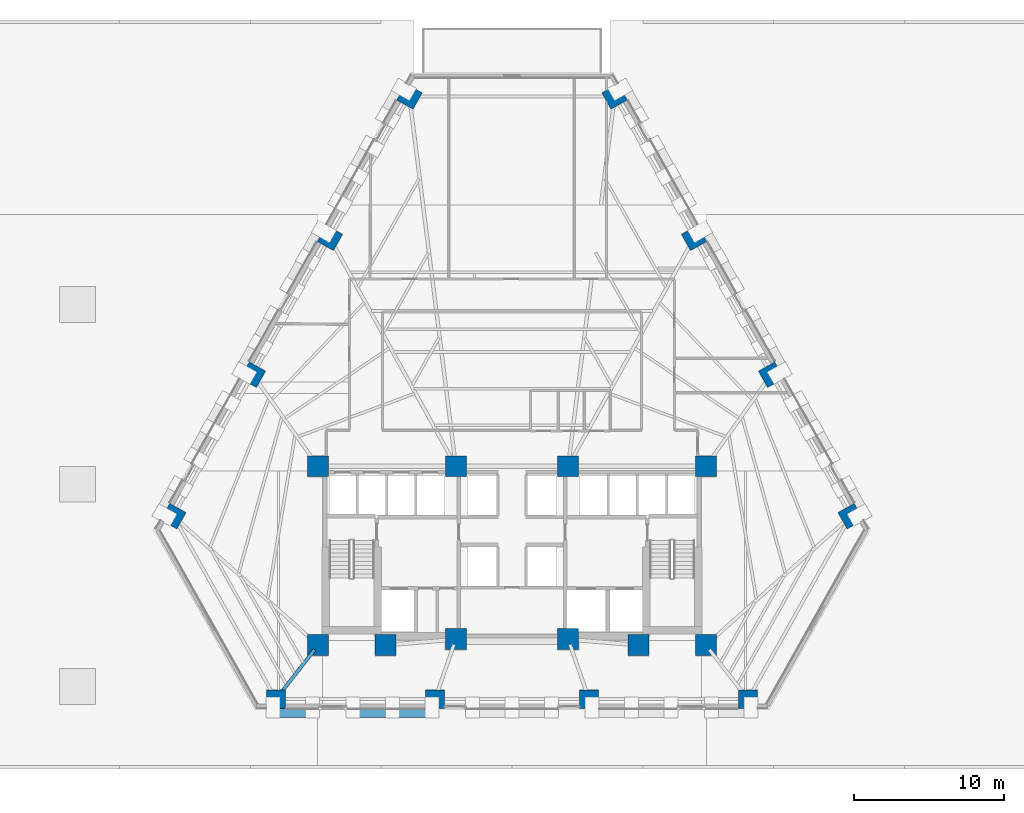
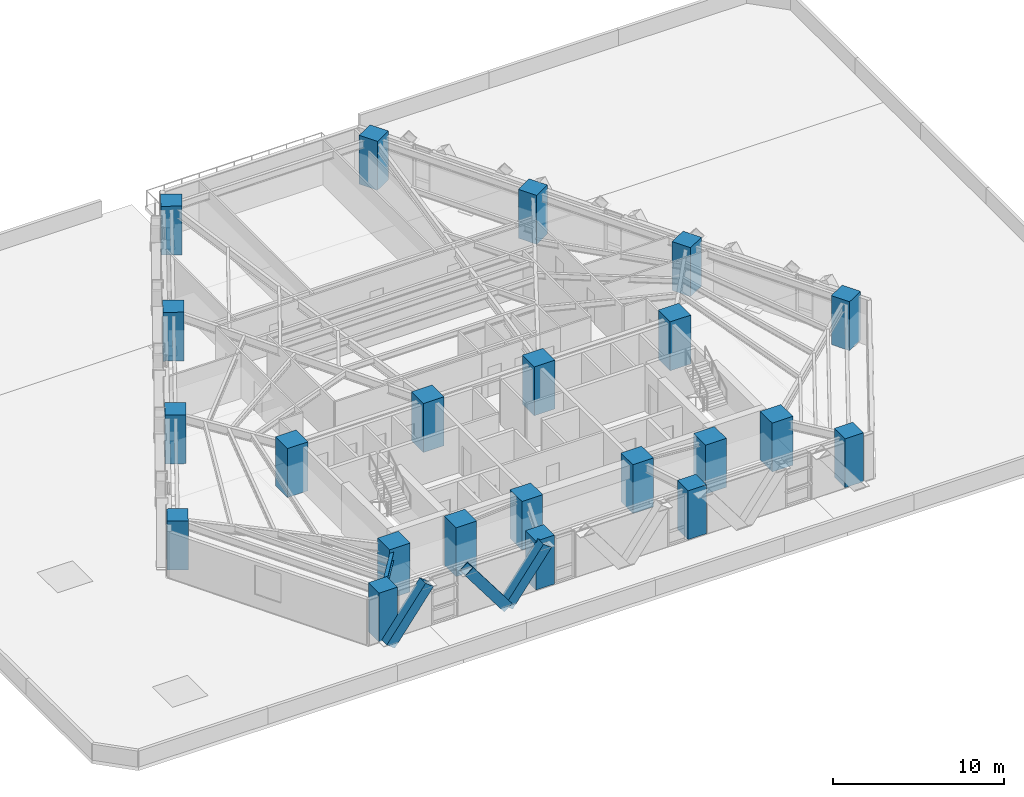
# One storey, part 1 of 14: 22 columns, 3 members, 1 beam.
"""IFC4 building model written with IfcOpenShell, lengths in metres."""

from ifc_helpers import new_model, si_unit, direction, frame, origin, origin_2d, place, context, subcontext, project, spatial, rectangle, hollow_rectangle, i_section, extrude, material, material_profile, profile_set, type_object, element, save


model = new_model("IFC4")

# Units and contexts
model_context = context("Model", 3, precision=1e-05, world=origin(), true_north=direction((0.0, 1.0)))
body_context = subcontext(model_context, "Body", "Model", "MODEL_VIEW")
ifc_project = project(units=[si_unit("LENGTHUNIT", "METRE"), si_unit("AREAUNIT", "SQUARE_METRE"), si_unit("VOLUMEUNIT", "CUBIC_METRE"), si_unit("PLANEANGLEUNIT", "RADIAN"), si_unit("MASSUNIT", "GRAM", prefix="KILO")], contexts=[model_context])

# Site, building, storey
site_placement = place(None, origin())
site = spatial("IfcSite", under=ifc_project, at=site_placement, CompositionType="ELEMENT")
building_placement = place(site_placement, origin())
building = spatial("IfcBuilding", under=site, at=building_placement, Name="Quenlor Broadcast Tower", CompositionType="ELEMENT")
storey_placement = place(building_placement, frame((0.0, 0.0, 27.60009765625)))
storey = spatial("IfcBuildingStorey", under=building, at=storey_placement, Name="L06", CompositionType="ELEMENT", Elevation=27.60009765625)

# Columns
ifc_material_1 = material(Name="Concrete C65/80", Category="concrete")
ifc_material_profile_1 = material_profile(ifc_material_1, rectangle(XDim=1.39990234375, YDim=1.39990234375, at=origin_2d()))
ifc_profile_set_1 = profile_set([ifc_material_profile_1], Name="Concrete C65/80 RC1400x1400")
column_type_1 = type_object("IfcColumnType", Name="Core Corner Column Lower Concrete C65/80 1400", PredefinedType="COLUMN", material=ifc_profile_set_1)
for number, where, z_axis, x_axis, name in (
    (1, (-12.949951171875, -16.75, 0.0), (0.0, 0.0, 1.0), (1.0, 0.0, 0.0), "L06 Core Column CC1"),
    (2, (-8.449951171875, -16.75, 0.0), (0.0, 0.0, 1.0), (1.0, 0.0, 0.0), "L06 Core Column CC2"),
    (3, (-3.75, -16.35009765625, 0.0), (0.0, 0.0, 1.0), (1.0, 0.0, 0.0), "L06 Core Column CC3"),
    (4, (3.75, -16.35009765625, 0.0), (0.0, 0.0, 1.0), (1.0, 0.0, 0.0), "L06 Core Column CC4"),
    (5, (8.449951171875, -16.75, 0.0), (0.0, 0.0, 1.0), (1.0, 0.0, 0.0), "L06 Core Column CC5"),
    (6, (12.949951171875, -16.75, 0.0), (0.0, 0.0, 1.0), (1.0, 0.0, 0.0), "L06 Core Column CC6"),
    (7, (-12.949951171875, -4.800048828125, 0.0), (0.0, 0.0, 1.0), (1.0, 0.0, 0.0), "L06 Core Column CC7"),
    (8, (-3.75, -4.800048828125, 0.0), (0.0, 0.0, 1.0), (1.0, 0.0, 0.0), "L06 Core Column CC8"),
    (9, (3.75, -4.800048828125, 0.0), (0.0, 0.0, 1.0), (1.0, 0.0, 0.0), "L06 Core Column CC9"),
    (10, (12.949951171875, -4.800048828125, 0.0), (0.0, 0.0, 1.0), (1.0, 0.0, 0.0), "L06 Core Column CC10"),
):
    element("IfcColumn", number, at=place(storey_placement, frame(where, z_axis=z_axis, x_axis=x_axis)), inside=storey, type_object=column_type_1, Name=name, PredefinedType="COLUMN", context=body_context, shape_type="SweptSolid", body=[
        extrude(rectangle(XDim=1.39990234375, YDim=1.39990234375, at=origin_2d()), origin(), (0.0, 0.0, 1.0), 3.5),
    ])
ifc_material_2 = material(Name="Concrete C65/80", Category="concrete")
ifc_material_profile_2 = material_profile(ifc_material_2, rectangle(XDim=1.25, YDim=1.25, at=origin_2d()))
ifc_profile_set_2 = profile_set([ifc_material_profile_2], Name="Concrete C65/80 RC1250x1250")
column_type_2 = type_object("IfcColumnType", Name="Tower Perimeter Column Z1 Concrete C65/80 1250", PredefinedType="COLUMN", material=ifc_profile_set_2)
for number, where, z_axis, x_axis, name in (
    (11, (-15.76513671875, -20.35009765625, 0.0), (0.0, 0.0, 1.0), (0.0, 1.0, 0.0), "L06 Perimeter Column S1"),
    (12, (-5.140869140625, -20.35009765625, 0.0), (0.0, 0.0, 1.0), (0.0, 1.0, 0.0), "L06 Perimeter Column S2"),
    (13, (5.140869140625, -20.35009765625, 0.0), (0.0, 0.0, 1.0), (0.0, 1.0, 0.0), "L06 Perimeter Column S3"),
    (14, (15.76513671875, -20.35009765625, 0.0), (0.0, 0.0, 1.0), (0.0, 1.0, 0.0), "L06 Perimeter Column S4"),
    (15, (22.6162109375, -8.132080078125, 0.0), (0.0, 0.0, 1.0), (0.871575139605, 0.490261946333, 0.0), "L06 Perimeter Column NE1"),
    (16, (17.303955078125, 1.311767578125, 0.0), (0.0, 0.0, 1.0), (0.871575139605, 0.490261946333, 0.0), "L06 Perimeter Column NE2"),
    (17, (12.1630859375, 10.450927734375, 0.0), (0.0, 0.0, 1.0), (0.871575139605, 0.490261946333, 0.0), "L06 Perimeter Column NE3"),
    (18, (6.850830078125, 19.894775390625, 0.0), (0.0, 0.0, 1.0), (0.871575139605, 0.490261946333, 0.0), "L06 Perimeter Column NE4"),
    (19, (-6.850830078125, 19.894775390625, 0.0), (0.0, 0.0, 1.0), (-0.871575139605, 0.490261946333, 0.0), "L06 Perimeter Column NW1"),
    (20, (-12.1630859375, 10.450927734375, 0.0), (0.0, 0.0, 1.0), (-0.871575139605, 0.490261946333, 0.0), "L06 Perimeter Column NW2"),
    (21, (-17.303955078125, 1.311767578125, 0.0), (0.0, 0.0, 1.0), (-0.871575139605, 0.490261946333, 0.0), "L06 Perimeter Column NW3"),
    (22, (-22.6162109375, -8.132080078125, 0.0), (0.0, 0.0, 1.0), (-0.871575139605, 0.490261946333, 0.0), "L06 Perimeter Column NW4"),
):
    element("IfcColumn", number, at=place(storey_placement, frame(where, z_axis=z_axis, x_axis=x_axis)), inside=storey, type_object=column_type_2, Name=name, PredefinedType="COLUMN", context=body_context, shape_type="SweptSolid", body=[
        extrude(rectangle(XDim=1.25, YDim=1.25, at=origin_2d()), origin(), (0.0, 0.0, 1.0), 3.5),
    ])

# Members
ifc_material_3 = material(Name="Steel S355", Category="steel")
ifc_material_profile_3 = material_profile(ifc_material_3, hollow_rectangle(XDim=0.679931640625, YDim=0.679931640625, WallThickness=0.034912109375, at=origin_2d()))
ifc_profile_set_3 = profile_set([ifc_material_profile_3], Name="Steel S355 RHS680x680x35")
member_type = type_object("IfcMemberType", Name="Perimeter Diagonal Lattice Brace Z1 Steel S355 RHS680x35", PredefinedType="BRACE", material=ifc_profile_set_3)
for number, where, z_axis, x_axis, name in (
    (23, (-7.964599609375, -21.235107421875, -0.1201171875), (0.60049964856, 0.0, 0.799625019668), (0.0, 1.0, 0.0), "L06 Perimeter Diamond Lattice S-C3B"),
    (24, (-7.99658203125, -21.235107421875, -0.1201171875), (-0.600463982679, 0.0, 0.799651802665), (0.0, -1.0, 0.0), "L06 Perimeter Diamond Lattice S-C4S"),
    (25, (-15.945068359375, -21.235107421875, -0.1201171875), (0.600463982679, 0.0, 0.799651802665), (0.0, 1.0, 0.0), "L06 Perimeter Diamond Lattice S-C4B"),
):
    element("IfcMember", number, at=place(storey_placement, frame(where, z_axis=z_axis, x_axis=x_axis)), inside=storey, type_object=member_type, Name=name, PredefinedType="BRACE", context=body_context, shape_type="SweptSolid", body=[
        extrude(hollow_rectangle(XDim=0.679931640625, YDim=0.679931640625, WallThickness=0.034912109375, at=origin_2d()), origin(), (0.0, 0.0, 1.0), 4.376953125),
    ])

# Beam
ifc_material_4 = material(Name="Steel S355", Category="steel")
ifc_material_profile_4 = material_profile(ifc_material_4, i_section(OverallWidth=0.22900390625, OverallDepth=0.611572265625, WebThickness=0.011962890625, FlangeThickness=0.01953125, FilletRadius=0.013916015625, at=origin_2d()))
ifc_profile_set_4 = profile_set([ifc_material_profile_4], Name="Steel S355 610UB125")
beam_type = type_object("IfcBeamType", Name="Tower Primary Floor Beam Z1 Steel S355 610UB125", PredefinedType="BEAM", material=ifc_profile_set_4)
beam_placement = place(storey_placement, frame((-15.512451171875, -20.027099609375, 2.944091796875), z_axis=(0.615968610193, 0.78777069713, 0.0), x_axis=(-0.78777069713, 0.615968610193, 0.0)))
element("IfcBeam", 26, at=beam_placement, inside=storey, type_object=beam_type, Name="L06 Primary Radial Beam S1", PredefinedType="BEAM", context=body_context, shape_type="SweptSolid", body=[
    extrude(i_section(OverallWidth=0.22900390625, OverallDepth=0.611572265625, WebThickness=0.011962890625, FlangeThickness=0.01953125, FilletRadius=0.013916015625, at=origin_2d()), origin(), (0.0, 0.0, 1.0), 3.780029296875),
])

save(model, "model.ifc")
